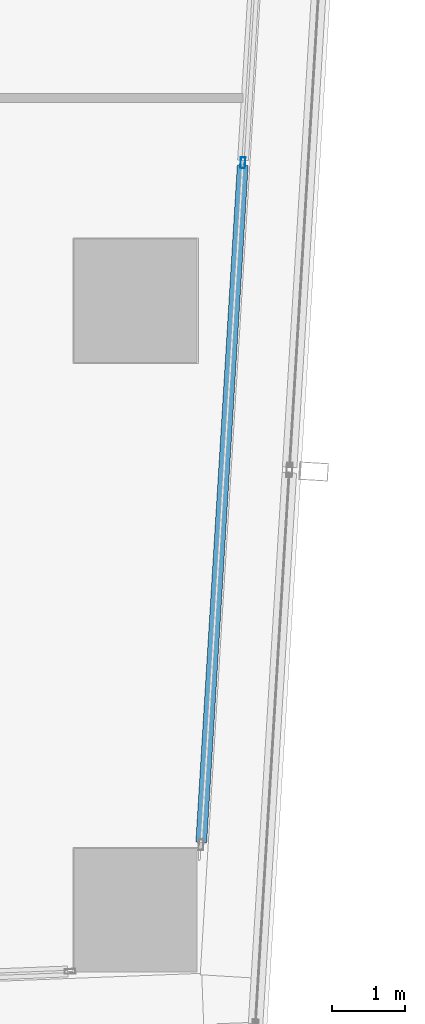
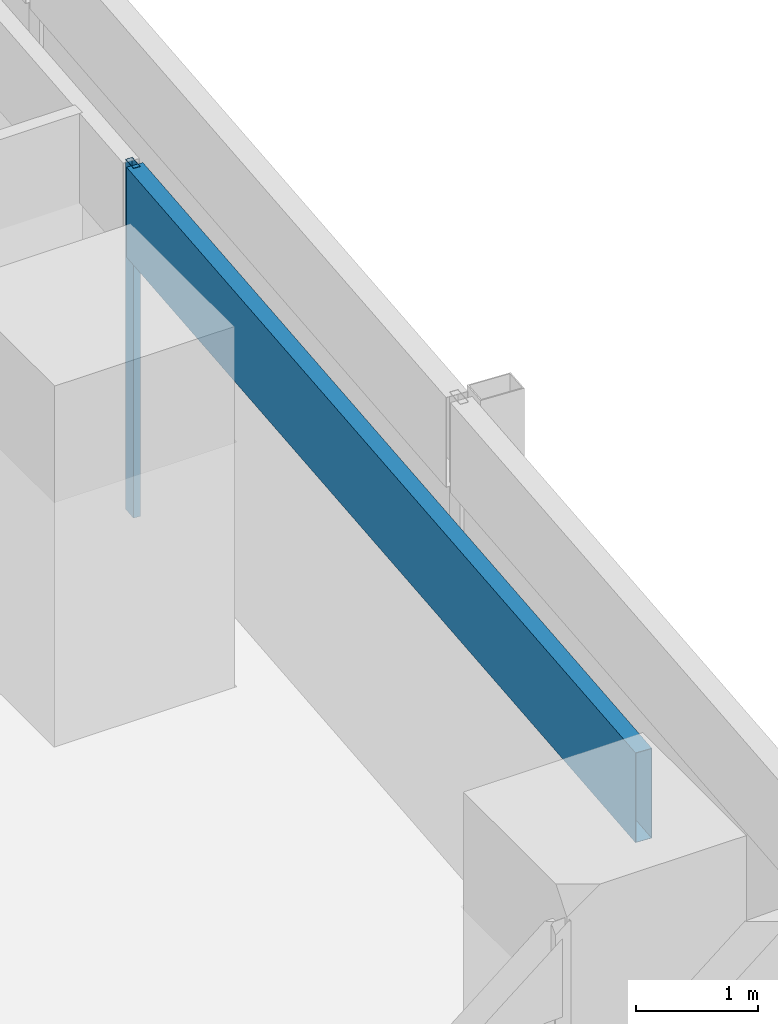
# One storey, part 13 of 40: 2 members, 1 element without a shape of its own.
"""IFC4 building model written with IfcOpenShell, lengths in metres."""

from ifc_helpers import new_model, si_unit, direction, frame, origin, origin_2d, place, context, subcontext, project, spatial, hollow_rectangle, extrude, material, material_profile, profile_set, type_object, element, aggregate, save


model = new_model("IFC4")

# Units and contexts
model_context = context("Model", 3, precision=1e-05, world=origin(), true_north=direction((0.0, 1.0)))
body_context = subcontext(model_context, "Body", "Model", "MODEL_VIEW")
ifc_project = project(units=[si_unit("LENGTHUNIT", "METRE"), si_unit("AREAUNIT", "SQUARE_METRE"), si_unit("VOLUMEUNIT", "CUBIC_METRE"), si_unit("PLANEANGLEUNIT", "RADIAN"), si_unit("MASSUNIT", "GRAM", prefix="KILO")], contexts=[model_context])

# Site, building, storey
site_placement = place(None, origin())
site = spatial("IfcSite", under=ifc_project, at=site_placement, CompositionType="ELEMENT")
building_placement = place(site_placement, origin())
building = spatial("IfcBuilding", under=site, at=building_placement, Name="Rekha Terrace Tower", CompositionType="ELEMENT")
storey_placement = place(building_placement, frame((0.0, 0.0, 117.800048828125)))
storey = spatial("IfcBuildingStorey", under=building, at=storey_placement, Name="L29", CompositionType="ELEMENT", Elevation=117.800048828125)

# Curtain wall, members
ifc_material_1 = material(Name="Aluminium framing", Category="aluminium")
curtain_wall_type = type_object("IfcCurtainWallType", Name="CW1 double skin inner glazing", PredefinedType="USERDEFINED", material=ifc_material_1)
curtain_wall_placement = place(storey_placement, origin())
curtain_wall = element("IfcCurtainWall", 1, at=curtain_wall_placement, inside=storey, type_object=curtain_wall_type, Name="CW1 double skin inner glazing", ObjectType="DOUBLE SKIN INNER GLAZING", PredefinedType="USERDEFINED")
ifc_material_2 = material(Name="Aluminium mullion section", Category="aluminium")
ifc_material_profile_1 = material_profile(ifc_material_2, hollow_rectangle(XDim=0.06494140625, YDim=0.14990234375, WallThickness=0.00390625, at=origin_2d()), Name="AL RHS 65x150")
ifc_profile_set_1 = profile_set([ifc_material_profile_1], Name="Aluminium mullion section")
member_type_1 = type_object("IfcMemberType", Name="CW1 mullion RHS 65 x 150", PredefinedType="MULLION", material=ifc_profile_set_1)
member_1_placement = place(storey_placement, frame((68.679443359375, 27.101806640625, 0.0), z_axis=(0.0, 0.0, 1.0), x_axis=(-0.998127987024, 0.061159803131, 0.0)))
member_1 = element("IfcMember", 2, at=member_1_placement, type_object=member_type_1, Name="CW1 mullion 2", PredefinedType="MULLION", context=body_context, shape_type="SweptSolid", body=[
    extrude(hollow_rectangle(XDim=0.06494140625, YDim=0.14990234375, WallThickness=0.00390625, at=origin_2d()), origin(), (0.0, 0.0, 1.0), 3.5),
])
ifc_material_3 = material(Name="Insulated aluminium spandrel box", Category="aluminium")
ifc_material_profile_2 = material_profile(ifc_material_3, hollow_rectangle(XDim=0.14990234375, YDim=0.89990234375, WallThickness=0.0029296875, at=origin_2d()), Name="AL SPANDREL BOX 150x900")
ifc_profile_set_2 = profile_set([ifc_material_profile_2], Name="Insulated aluminium spandrel box")
member_type_2 = type_object("IfcMemberType", Name="CW1 spandrel transom 150 x 900", PredefinedType="USERDEFINED", material=ifc_profile_set_2)
member_2_placement = place(storey_placement, frame((68.10546875, 17.731689453125, 3.050048828125), z_axis=(0.061145082926, 0.998128888889, 0.0), x_axis=(-0.998128888889, 0.061145082926, 0.0)))
member_2 = element("IfcMember", 3, at=member_2_placement, type_object=member_type_2, Name="CW1 spandrel transom 1", ObjectType="TRANSOM", PredefinedType="USERDEFINED", context=body_context, shape_type="SweptSolid", body=[
    extrude(hollow_rectangle(XDim=0.14990234375, YDim=0.89990234375, WallThickness=0.0029296875, at=origin_2d()), origin(), (0.0, 0.0, 1.0), 9.355224609375),
])
aggregate(curtain_wall, [member_1, member_2])

save(model, "model.ifc")
